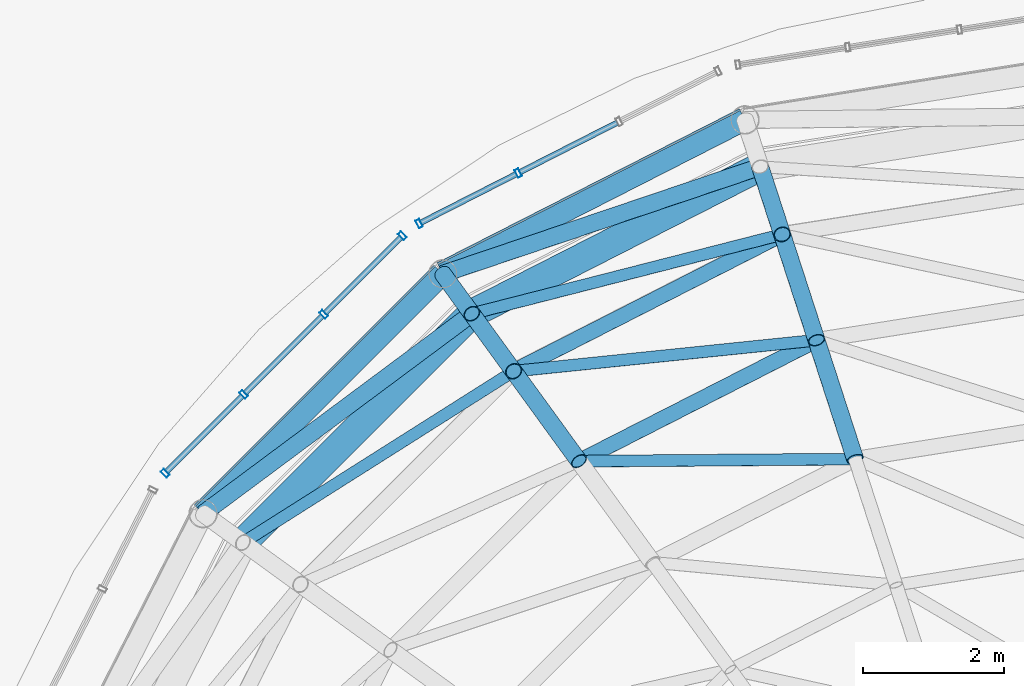
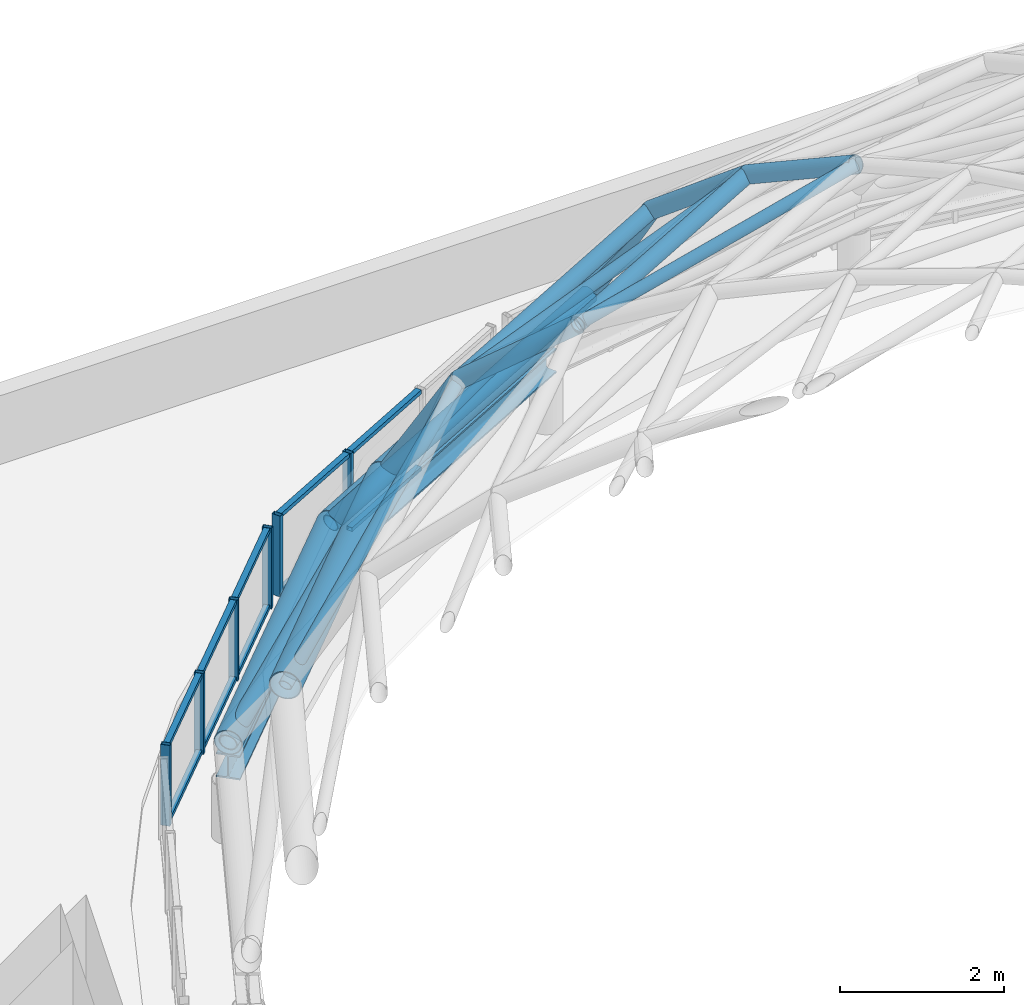
# One storey, part 35 of 69: 34 members, 2 beams, 2 elements without a shape of their own.
"""IFC4 building model written with IfcOpenShell, lengths in metres."""

from ifc_helpers import new_model, si_unit, direction, frame, origin, origin_2d, place, context, subcontext, project, spatial, hollow_rectangle, hollow_circle, i_section, extrude, material, layer, layer_set, material_profile, profile_set, type_object, element, aggregate, save


model = new_model("IFC4")

# Units and contexts
model_context = context("Model", 3, precision=1e-05, world=origin(), true_north=direction((0.0, 1.0)))
body_context = subcontext(model_context, "Body", "Model", "MODEL_VIEW")
ifc_project = project(units=[si_unit("LENGTHUNIT", "METRE"), si_unit("AREAUNIT", "SQUARE_METRE"), si_unit("VOLUMEUNIT", "CUBIC_METRE"), si_unit("PLANEANGLEUNIT", "RADIAN"), si_unit("MASSUNIT", "GRAM", prefix="KILO")], contexts=[model_context])

# Site, building, storey
site_placement = place(None, origin())
site = spatial("IfcSite", under=ifc_project, at=site_placement, CompositionType="ELEMENT")
building_placement = place(site_placement, origin())
building = spatial("IfcBuilding", under=site, at=building_placement, Name="Kallimachos Central Library", CompositionType="ELEMENT")
storey_placement = place(building_placement, frame((0.0, 0.0, 23.39990234375)))
storey = spatial("IfcBuildingStorey", under=building, at=storey_placement, Name="L05", CompositionType="ELEMENT", Elevation=23.39990234375)

# Members
ifc_material_1 = material(Name="Steel S355J2H", Category="steel")
ifc_material_profile_1 = material_profile(ifc_material_1, hollow_circle(Radius=0.084228515625, WallThickness=0.008056640625, at=origin_2d()), Name="CHS 168.3x8")
ifc_profile_set_1 = profile_set([ifc_material_profile_1], Name="Steel S355J2H")
member_type_1 = type_object("IfcMemberType", Name="CHS 168.3x8 dome diagonal", PredefinedType="BRACE", material=ifc_profile_set_1)
member_1_placement = place(storey_placement, frame((84.80712890625, 114.226806640625, 6.24853515625), z_axis=(-0.970172108515, -0.007483288222, -0.242301630735), x_axis=(0.007713132086, -0.999970253354, 0.0)))
element("IfcMember", 1, at=member_1_placement, inside=storey, type_object=member_type_1, Name="Dome diagonal DD-4-06", PredefinedType="BRACE", context=body_context, shape_type="SweptSolid", body=[
    extrude(hollow_circle(Radius=0.084228515625, WallThickness=0.008056640625, at=origin_2d()), origin(), (0.0, 0.0, 1.0), 4.04541015625),
])
member_2_placement = place(storey_placement, frame((84.258056640625, 115.91650390625, 5.268310546875), z_axis=(-0.954541770957, -0.097939201614, -0.281527832169), x_axis=(0.102067520228, -0.994777473265, 0.0)))
element("IfcMember", 2, at=member_2_placement, inside=storey, type_object=member_type_1, Name="Dome diagonal DD-5-06", PredefinedType="BRACE", context=body_context, shape_type="SweptSolid", body=[
    extrude(hollow_circle(Radius=0.084228515625, WallThickness=0.008056640625, at=origin_2d()), origin(), (0.0, 0.0, 1.0), 4.509521484375),
])
for number, where, z_axis, x_axis, name in (
    (3, (83.769775390625, 117.419189453125, 3.998779296875), (-0.906269839108, -0.231534284072, -0.353647923819), (0.247530017622, -0.96888022499, 0.0), "Dome diagonal DD-6-06"),
    (4, (79.95361328125, 115.474853515625, 3.998779296875), (-0.790374252327, -0.500242584103, -0.353646572595), (0.534801956115, -0.844977436229, 0.0), "Dome diagonal DD-6-07"),
):
    element("IfcMember", number, at=place(storey_placement, frame(where, z_axis=z_axis, x_axis=x_axis)), inside=storey, type_object=member_type_1, Name=name, PredefinedType="BRACE", context=body_context, shape_type="SweptSolid", body=[
        extrude(hollow_circle(Radius=0.084228515625, WallThickness=0.008056640625, at=origin_2d()), origin(), (0.0, 0.0, 1.0), 4.8662109375),
    ])
ifc_material_2 = material(Name="Steel S355J2H", Category="steel")
ifc_material_profile_2 = material_profile(ifc_material_2, hollow_circle(Radius=0.109619140625, WallThickness=0.012451171875, at=origin_2d()), Name="CHS 219.1x12.5")
ifc_profile_set_2 = profile_set([ifc_material_profile_2], Name="Steel S355J2H")
member_type_2 = type_object("IfcMemberType", Name="CHS 219.1x12.5 dome ring", PredefinedType="PURLIN", material=ifc_profile_set_2)
member_3_placement = place(storey_placement, frame((84.258056640625, 115.91650390625, 5.268310546875), z_axis=(-0.891011956133, -0.45397983879, 0.0), x_axis=(0.45397983879, -0.891011956133, 0.0)))
element("IfcMember", 5, at=member_3_placement, inside=storey, type_object=member_type_2, Name="Dome ring DN-5-06", PredefinedType="PURLIN", context=body_context, shape_type="SweptSolid", body=[
    extrude(hollow_circle(Radius=0.109619140625, WallThickness=0.012451171875, at=origin_2d()), origin(), (0.0, 0.0, 1.0), 3.78857421875),
])
member_4_placement = place(storey_placement, frame((83.769775390625, 117.419189453125, 3.998779296875), z_axis=(-0.891015569784, -0.453972746322, 0.0), x_axis=(0.453972746322, -0.891015569784, 0.0)))
element("IfcMember", 6, at=member_4_placement, inside=storey, type_object=member_type_2, Name="Dome ring DN-6-06", PredefinedType="PURLIN", context=body_context, shape_type="SweptSolid", body=[
    extrude(hollow_circle(Radius=0.109619140625, WallThickness=0.012451171875, at=origin_2d()), origin(), (0.0, 0.0, 1.0), 4.282958984375),
])
ifc_material_3 = material(Name="Steel S355J2H", Category="steel")
ifc_material_profile_3 = material_profile(ifc_material_3, hollow_circle(Radius=0.122314453125, WallThickness=0.012451171875, at=origin_2d()), Name="CHS 244.5x12.5")
ifc_profile_set_3 = profile_set([ifc_material_profile_3], Name="Steel S355J2H")
member_type_3 = type_object("IfcMemberType", Name="CHS 244.5x12.5 dome diagonal", PredefinedType="BRACE", material=ifc_profile_set_3)
member_5_placement = place(storey_placement, frame((83.45751953125, 118.380615234375, 2.27783203125), z_axis=(-0.931010843657, -0.314167645959, -0.185788856571), x_axis=(0.31973431927, -0.947507237482, 0.0)))
element("IfcMember", 7, at=member_5_placement, inside=storey, type_object=member_type_3, Name="Dome diagonal DD-7-06", PredefinedType="BRACE", context=body_context, shape_type="SweptSolid", body=[
    extrude(hollow_circle(Radius=0.122314453125, WallThickness=0.012451171875, at=origin_2d()), origin(), (0.0, 0.0, 1.0), 4.84375),
])
member_6_placement = place(storey_placement, frame((79.359619140625, 116.29248046875, 2.27783203125), z_axis=(-0.788362711939, -0.586483385768, -0.18579954963), x_axis=(0.596876395099, -0.80233320321, 0.0)))
element("IfcMember", 8, at=member_6_placement, inside=storey, type_object=member_type_3, Name="Dome diagonal DD-7-07", PredefinedType="BRACE", context=body_context, shape_type="SweptSolid", body=[
    extrude(hollow_circle(Radius=0.122314453125, WallThickness=0.012451171875, at=origin_2d()), origin(), (0.0, 0.0, 1.0), 4.843505859375),
])
ifc_material_4 = material(Name="Steel S355J2H", Category="steel")
ifc_material_profile_4 = material_profile(ifc_material_4, hollow_circle(Radius=0.122314453125, WallThickness=0.012451171875, at=origin_2d()), Name="CHS 244.5x12.5")
ifc_profile_set_4 = profile_set([ifc_material_profile_4], Name="Steel S355J2H")
member_type_4 = type_object("IfcMemberType", Name="CHS 244.5x12.5 dome rib", PredefinedType="RAFTER", material=ifc_profile_set_4)
member_7_placement = place(storey_placement, frame((84.80712890625, 114.226806640625, 6.24853515625), z_axis=(-0.270593967186, 0.83271713957, -0.483074601267), x_axis=(-0.951047195677, -0.309045678815, 0.0)))
element("IfcMember", 9, at=member_7_placement, inside=storey, type_object=member_type_4, Name="Dome rib DR-4-06", PredefinedType="RAFTER", context=body_context, shape_type="SweptSolid", body=[
    extrude(hollow_circle(Radius=0.122314453125, WallThickness=0.012451171875, at=origin_2d()), origin(), (0.0, 0.0, 1.0), 2.029052734375),
])
for number, where, z_axis, x_axis, name in (
    (10, (84.258056640625, 115.91650390625, 5.268310546875), (-0.240904371031, 0.741383201847, -0.62635136468), (-0.951051099951, -0.309033663672, 0.0), "Dome rib DR-5-06"),
    (11, (80.88232421875, 114.196533203125, 5.268310546875), (-0.458193176773, 0.630678095054, -0.626341882024), (-0.809029975545, -0.58776738483, 0.0), "Dome rib DR-5-07"),
):
    element("IfcMember", number, at=place(storey_placement, frame(where, z_axis=z_axis, x_axis=x_axis)), inside=storey, type_object=member_type_4, Name=name, PredefinedType="RAFTER", context=body_context, shape_type="SweptSolid", body=[
        extrude(hollow_circle(Radius=0.122314453125, WallThickness=0.012451171875, at=origin_2d()), origin(), (0.0, 0.0, 1.0), 2.02685546875),
    ])
for number, where, z_axis, x_axis, name in (
    (12, (83.769775390625, 117.419189453125, 3.998779296875), (-0.156450889293, 0.481707272897, -0.862253572029), (-0.951094395752, -0.308900389072, 0.0), "Dome rib DR-6-06"),
    (13, (79.95361328125, 115.474853515625, 3.998779296875), (-0.297630119581, 0.409684862505, -0.862307732398), (-0.809038926726, -0.587755063817, 0.0), "Dome rib DR-6-07"),
):
    element("IfcMember", number, at=place(storey_placement, frame(where, z_axis=z_axis, x_axis=x_axis)), inside=storey, type_object=member_type_4, Name=name, PredefinedType="RAFTER", context=body_context, shape_type="SweptSolid", body=[
        extrude(hollow_circle(Radius=0.122314453125, WallThickness=0.012451171875, at=origin_2d()), origin(), (0.0, 0.0, 1.0), 1.995849609375),
    ])
member_8_placement = place(storey_placement, frame((79.359619140625, 116.29248046875, 2.27783203125), z_axis=(-0.361005557434, 0.49675735068, -0.789244652847), x_axis=(-0.80894712746, -0.587881403835, 0.0)))
element("IfcMember", 14, at=member_8_placement, inside=storey, type_object=member_type_4, Name="Dome rib DR-7-07", PredefinedType="RAFTER", context=body_context, shape_type="SweptSolid", body=[
    extrude(hollow_circle(Radius=0.122314453125, WallThickness=0.012451171875, at=origin_2d()), origin(), (0.0, 0.0, 1.0), 1.14013671875),
])
ifc_material_5 = material(Name="Steel S355J2H", Category="steel")
ifc_material_profile_5 = material_profile(ifc_material_5, hollow_circle(Radius=0.177734375, WallThickness=0.008056640625, at=origin_2d()), Name="CHS 355.6x8")
ifc_profile_set_5 = profile_set([ifc_material_profile_5], Name="Steel S355J2H")
member_type_5 = type_object("IfcMemberType", Name="CHS 355.6x8 dome ring", PredefinedType="PURLIN", material=ifc_profile_set_5)
member_9_placement = place(storey_placement, frame((83.2412109375, 119.04638671875, 1.3779296875), z_axis=(-0.891006627269, -0.453990297432, 0.0), x_axis=(0.453990297432, -0.891006627269, 0.0)))
element("IfcMember", 15, at=member_9_placement, inside=storey, type_object=member_type_5, Name="Dome ring DN-8-06", PredefinedType="PURLIN", context=body_context, shape_type="SweptSolid", body=[
    extrude(hollow_circle(Radius=0.177734375, WallThickness=0.008056640625, at=origin_2d()), origin(), (0.0, 0.0, 1.0), 4.818359375),
])
member_10_placement = place(storey_placement, frame((78.947998046875, 116.85888671875, 1.3779296875), z_axis=(-0.707081444577, -0.707132116889, 0.0), x_axis=(0.707132116889, -0.707081444577, 0.0)))
element("IfcMember", 16, at=member_10_placement, inside=storey, type_object=member_type_5, Name="Dome ring DN-8-07", PredefinedType="PURLIN", context=body_context, shape_type="SweptSolid", body=[
    extrude(hollow_circle(Radius=0.177734375, WallThickness=0.008056640625, at=origin_2d()), origin(), (0.0, 0.0, 1.0), 4.818115234375),
])
ifc_material_6 = material(Name="Steel S355J2H", Category="steel")
ifc_material_profile_6 = material_profile(ifc_material_6, hollow_circle(Radius=0.203125, WallThickness=0.012451171875, at=origin_2d()), Name="CHS 406.4x12.5")
ifc_profile_set_6 = profile_set([ifc_material_profile_6], Name="Steel S355J2H")
member_type_6 = type_object("IfcMemberType", Name="CHS 406.4x12.5 dome ring", PredefinedType="PURLIN", material=ifc_profile_set_6)
member_11_placement = place(storey_placement, frame((83.45751953125, 118.380615234375, 2.27783203125), z_axis=(-0.890993311189, -0.454016430778, 0.0), x_axis=(0.454016430778, -0.890993311189, 0.0)))
element("IfcMember", 17, at=member_11_placement, inside=storey, type_object=member_type_6, Name="Dome ring DN-7-06", PredefinedType="PURLIN", context=body_context, shape_type="SweptSolid", body=[
    extrude(hollow_circle(Radius=0.203125, WallThickness=0.012451171875, at=origin_2d()), origin(), (0.0, 0.0, 1.0), 4.599365234375),
])
member_12_placement = place(storey_placement, frame((79.359619140625, 116.29248046875, 2.27783203125), z_axis=(-0.707133322739, -0.707080238637, 0.0), x_axis=(0.707080238637, -0.707133322739, 0.0)))
element("IfcMember", 18, at=member_12_placement, inside=storey, type_object=member_type_6, Name="Dome ring DN-7-07", PredefinedType="PURLIN", context=body_context, shape_type="SweptSolid", body=[
    extrude(hollow_circle(Radius=0.203125, WallThickness=0.012451171875, at=origin_2d()), origin(), (0.0, 0.0, 1.0), 4.59912109375),
])

# Curtain wall, members
ifc_material_7 = material(Name="Anodised aluminium and laminated glass", Category="aluminium")
ifc_layer = layer(ifc_material_7, 0.159912109375)
ifc_layer_set = layer_set([ifc_layer], Name="Glass box curtain wall")
curtain_wall_type = type_object("IfcCurtainWallType", Name="Glass box curtain wall", PredefinedType="NOTDEFINED", material=ifc_layer_set)
curtain_wall_1_placement = place(storey_placement, origin())
curtain_wall_1 = element("IfcCurtainWall", 19, at=curtain_wall_1_placement, inside=storey, type_object=curtain_wall_type, Name="Drum clerestory facet 7", PredefinedType="NOTDEFINED")
ifc_material_8 = material(Name="Anodised aluminium", Category="aluminium")
ifc_material_profile_7 = material_profile(ifc_material_8, hollow_rectangle(XDim=0.06005859375, YDim=0.1201171875, WallThickness=0.00390625, at=origin_2d()), Name="ALU MULLION 60x120")
ifc_profile_set_7 = profile_set([ifc_material_profile_7], Name="Anodised aluminium")
member_type_7 = type_object("IfcMemberType", Name="Glass box mullion 60x120", PredefinedType="MULLION", material=ifc_profile_set_7)
member_13_placement = place(storey_placement, frame((80.01904296875, 118.290771484375, 0.0), z_axis=(0.0, 0.0, 1.0), x_axis=(-0.891006369337, -0.453990803653, 0.0)))
member_13 = element("IfcMember", 20, at=member_13_placement, type_object=member_type_7, Name="CW41 mullion 3", PredefinedType="MULLION", context=body_context, shape_type="SweptSolid", body=[
    extrude(hollow_rectangle(XDim=0.06005859375, YDim=0.1201171875, WallThickness=0.00390625, at=origin_2d()), origin(), (0.0, 0.0, 1.0), 1.2001953125),
])
member_14_placement = place(storey_placement, frame((78.61181640625, 117.57373046875, 0.0), z_axis=(0.0, 0.0, 1.0), x_axis=(-0.891006369337, -0.453990803653, 0.0)))
member_14 = element("IfcMember", 21, at=member_14_placement, type_object=member_type_7, Name="CW41 mullion 4", PredefinedType="MULLION", context=body_context, shape_type="SweptSolid", body=[
    extrude(hollow_rectangle(XDim=0.06005859375, YDim=0.1201171875, WallThickness=0.00390625, at=origin_2d()), origin(), (0.0, 0.0, 1.0), 1.2001953125),
])

curtain_wall_2_placement = place(storey_placement, origin())
curtain_wall_2 = element("IfcCurtainWall", 22, at=curtain_wall_2_placement, inside=storey, type_object=curtain_wall_type, Name="Drum clerestory facet 8", PredefinedType="NOTDEFINED")
member_15_placement = place(storey_placement, frame((78.3720703125, 117.399658203125, 0.0), z_axis=(0.0, 0.0, 1.0), x_axis=(-0.707106781187, -0.707106781187, 0.0)))
member_15 = element("IfcMember", 23, at=member_15_placement, type_object=member_type_7, Name="CW42 mullion 1", PredefinedType="MULLION", context=body_context, shape_type="SweptSolid", body=[
    extrude(hollow_rectangle(XDim=0.06005859375, YDim=0.1201171875, WallThickness=0.00390625, at=origin_2d()), origin(), (0.0, 0.0, 1.0), 1.2001953125),
])
member_16_placement = place(storey_placement, frame((77.25537109375, 116.28271484375, 0.0), z_axis=(0.0, 0.0, 1.0), x_axis=(-0.707106781187, -0.707106781187, 0.0)))
member_16 = element("IfcMember", 24, at=member_16_placement, type_object=member_type_7, Name="CW42 mullion 2", PredefinedType="MULLION", context=body_context, shape_type="SweptSolid", body=[
    extrude(hollow_rectangle(XDim=0.06005859375, YDim=0.1201171875, WallThickness=0.00390625, at=origin_2d()), origin(), (0.0, 0.0, 1.0), 1.2001953125),
])
member_17_placement = place(storey_placement, frame((76.1171875, 115.144775390625, 0.0), z_axis=(0.0, 0.0, 1.0), x_axis=(-0.707106781187, -0.707106781187, 0.0)))
member_17 = element("IfcMember", 25, at=member_17_placement, type_object=member_type_7, Name="CW42 mullion 3", PredefinedType="MULLION", context=body_context, shape_type="SweptSolid", body=[
    extrude(hollow_rectangle(XDim=0.06005859375, YDim=0.1201171875, WallThickness=0.00390625, at=origin_2d()), origin(), (0.0, 0.0, 1.0), 1.2001953125),
])
member_18_placement = place(storey_placement, frame((75.00048828125, 114.02783203125, 0.0), z_axis=(0.0, 0.0, 1.0), x_axis=(-0.707106781187, -0.707106781187, 0.0)))
member_18 = element("IfcMember", 26, at=member_18_placement, type_object=member_type_7, Name="CW42 mullion 4", PredefinedType="MULLION", context=body_context, shape_type="SweptSolid", body=[
    extrude(hollow_rectangle(XDim=0.06005859375, YDim=0.1201171875, WallThickness=0.00390625, at=origin_2d()), origin(), (0.0, 0.0, 1.0), 1.2001953125),
])

# Member
ifc_material_9 = material(Name="Anodised aluminium", Category="aluminium")
ifc_material_profile_8 = material_profile(ifc_material_9, hollow_rectangle(XDim=0.06005859375, YDim=0.080078125, WallThickness=0.00390625, at=origin_2d()), Name="ALU TRANSOM 60x80")
ifc_profile_set_8 = profile_set([ifc_material_profile_8], Name="Anodised aluminium")
member_type_8 = type_object("IfcMemberType", Name="Glass box transom 60x80", PredefinedType="USERDEFINED", material=ifc_profile_set_8)
member_19_placement = place(storey_placement, frame((81.426513671875, 119.0078125, 0.030029296875), z_axis=(-0.891029877091, -0.453944664173, 0.0), x_axis=(0.0, 0.0, 1.0)))
member_19 = element("IfcMember", 27, at=member_19_placement, type_object=member_type_8, Name="CW41 transom 2.1", ObjectType="TRANSOM", PredefinedType="USERDEFINED", context=body_context, shape_type="SweptSolid", body=[
    extrude(hollow_rectangle(XDim=0.06005859375, YDim=0.080078125, WallThickness=0.00390625, at=origin_2d()), origin(), (0.0, 0.0, 1.0), 1.549560546875),
])

member_20_placement = place(storey_placement, frame((81.426513671875, 119.0078125, 1.170166015625), z_axis=(-0.891029877091, -0.453944664173, 0.0), x_axis=(0.0, 0.0, 1.0)))
member_20 = element("IfcMember", 28, at=member_20_placement, type_object=member_type_8, Name="CW41 transom 2.2", ObjectType="TRANSOM", PredefinedType="USERDEFINED", context=body_context, shape_type="SweptSolid", body=[
    extrude(hollow_rectangle(XDim=0.06005859375, YDim=0.080078125, WallThickness=0.00390625, at=origin_2d()), origin(), (0.0, 0.0, 1.0), 1.549560546875),
])

member_21_placement = place(storey_placement, frame((79.992431640625, 118.277099609375, 0.030029296875), z_axis=(-0.891027233573, -0.453949852992, 0.0), x_axis=(0.0, 0.0, 1.0)))
member_21 = element("IfcMember", 29, at=member_21_placement, type_object=member_type_8, Name="CW41 transom 3.1", ObjectType="TRANSOM", PredefinedType="USERDEFINED", context=body_context, shape_type="SweptSolid", body=[
    extrude(hollow_rectangle(XDim=0.06005859375, YDim=0.080078125, WallThickness=0.00390625, at=origin_2d()), origin(), (0.0, 0.0, 1.0), 1.519287109375),
])

member_22_placement = place(storey_placement, frame((79.992431640625, 118.277099609375, 1.170166015625), z_axis=(-0.891027233573, -0.453949852992, 0.0), x_axis=(0.0, 0.0, 1.0)))
member_22 = element("IfcMember", 30, at=member_22_placement, type_object=member_type_8, Name="CW41 transom 3.2", ObjectType="TRANSOM", PredefinedType="USERDEFINED", context=body_context, shape_type="SweptSolid", body=[
    extrude(hollow_rectangle(XDim=0.06005859375, YDim=0.080078125, WallThickness=0.00390625, at=origin_2d()), origin(), (0.0, 0.0, 1.0), 1.519287109375),
])

aggregate(curtain_wall_1, [member_13, member_14, member_19, member_20, member_21, member_22])

member_23_placement = place(storey_placement, frame((78.350830078125, 117.37841796875, 0.030029296875), z_axis=(-0.707026432709, -0.707187120535, 0.0), x_axis=(0.0, 0.0, 1.0)))
member_23 = element("IfcMember", 31, at=member_23_placement, type_object=member_type_8, Name="CW42 transom 1.1", ObjectType="TRANSOM", PredefinedType="USERDEFINED", context=body_context, shape_type="SweptSolid", body=[
    extrude(hollow_rectangle(XDim=0.06005859375, YDim=0.080078125, WallThickness=0.00390625, at=origin_2d()), origin(), (0.0, 0.0, 1.0), 1.519287109375),
])

member_24_placement = place(storey_placement, frame((78.350830078125, 117.37841796875, 1.170166015625), z_axis=(-0.707026432709, -0.707187120535, 0.0), x_axis=(0.0, 0.0, 1.0)))
member_24 = element("IfcMember", 32, at=member_24_placement, type_object=member_type_8, Name="CW42 transom 1.2", ObjectType="TRANSOM", PredefinedType="USERDEFINED", context=body_context, shape_type="SweptSolid", body=[
    extrude(hollow_rectangle(XDim=0.06005859375, YDim=0.080078125, WallThickness=0.00390625, at=origin_2d()), origin(), (0.0, 0.0, 1.0), 1.519287109375),
])

member_25_placement = place(storey_placement, frame((77.234130859375, 116.261474609375, 0.030029296875), z_axis=(-0.707185563068, -0.707027990527, 0.0), x_axis=(0.0, 0.0, 1.0)))
member_25 = element("IfcMember", 33, at=member_25_placement, type_object=member_type_8, Name="CW42 transom 2.1", ObjectType="TRANSOM", PredefinedType="USERDEFINED", context=body_context, shape_type="SweptSolid", body=[
    extrude(hollow_rectangle(XDim=0.06005859375, YDim=0.080078125, WallThickness=0.00390625, at=origin_2d()), origin(), (0.0, 0.0, 1.0), 1.54931640625),
])

member_26_placement = place(storey_placement, frame((77.234130859375, 116.261474609375, 1.170166015625), z_axis=(-0.707185563068, -0.707027990527, 0.0), x_axis=(0.0, 0.0, 1.0)))
member_26 = element("IfcMember", 34, at=member_26_placement, type_object=member_type_8, Name="CW42 transom 2.2", ObjectType="TRANSOM", PredefinedType="USERDEFINED", context=body_context, shape_type="SweptSolid", body=[
    extrude(hollow_rectangle(XDim=0.06005859375, YDim=0.080078125, WallThickness=0.00390625, at=origin_2d()), origin(), (0.0, 0.0, 1.0), 1.54931640625),
])

member_27_placement = place(storey_placement, frame((76.095947265625, 115.12353515625, 0.030029296875), z_axis=(-0.707026432709, -0.707187120535, 0.0), x_axis=(0.0, 0.0, 1.0)))
member_27 = element("IfcMember", 35, at=member_27_placement, type_object=member_type_8, Name="CW42 transom 3.1", ObjectType="TRANSOM", PredefinedType="USERDEFINED", context=body_context, shape_type="SweptSolid", body=[
    extrude(hollow_rectangle(XDim=0.06005859375, YDim=0.080078125, WallThickness=0.00390625, at=origin_2d()), origin(), (0.0, 0.0, 1.0), 1.519287109375),
])

member_28_placement = place(storey_placement, frame((76.095947265625, 115.12353515625, 1.170166015625), z_axis=(-0.707026432709, -0.707187120535, 0.0), x_axis=(0.0, 0.0, 1.0)))
member_28 = element("IfcMember", 36, at=member_28_placement, type_object=member_type_8, Name="CW42 transom 3.2", ObjectType="TRANSOM", PredefinedType="USERDEFINED", context=body_context, shape_type="SweptSolid", body=[
    extrude(hollow_rectangle(XDim=0.06005859375, YDim=0.080078125, WallThickness=0.00390625, at=origin_2d()), origin(), (0.0, 0.0, 1.0), 1.519287109375),
])

aggregate(curtain_wall_2, [member_15, member_16, member_17, member_18, member_23, member_24, member_25, member_26, member_27, member_28])

# Beams
ifc_material_10 = material(Name="Steel S355J2", Category="steel")
ifc_material_profile_9 = material_profile(ifc_material_10, i_section(OverallWidth=0.300048828125, OverallDepth=0.360107421875, WebThickness=0.012451171875, FlangeThickness=0.0224609375, FilletRadius=0.027099609375, at=origin_2d()), Name="HEB 360")
ifc_profile_set_9 = profile_set([ifc_material_profile_9], Name="Steel S355J2")
beam_type = type_object("IfcBeamType", Name="HEB 360 beam", PredefinedType="BEAM", material=ifc_profile_set_9)
beam_1_placement = place(storey_placement, frame((83.2412109375, 119.04638671875, 1.02001953125), z_axis=(-0.891006627269, -0.453990297432, 0.0), x_axis=(0.453990297432, -0.891006627269, 0.0)))
element("IfcBeam", 37, at=beam_1_placement, inside=storey, type_object=beam_type, Name="V1-BEM-L05-007", PredefinedType="BEAM", context=body_context, shape_type="SweptSolid", body=[
    extrude(i_section(OverallWidth=0.300048828125, OverallDepth=0.360107421875, WebThickness=0.012451171875, FlangeThickness=0.0224609375, FilletRadius=0.027099609375, at=origin_2d()), origin(), (0.0, 0.0, 1.0), 4.818359375),
])
beam_2_placement = place(storey_placement, frame((78.947998046875, 116.85888671875, 1.02001953125), z_axis=(-0.707106781187, -0.707106781187, 0.0), x_axis=(0.707106781187, -0.707106781187, 0.0)))
element("IfcBeam", 38, at=beam_2_placement, inside=storey, type_object=beam_type, Name="V1-BEM-L05-008", PredefinedType="BEAM", context=body_context, shape_type="SweptSolid", body=[
    extrude(i_section(OverallWidth=0.300048828125, OverallDepth=0.360107421875, WebThickness=0.012451171875, FlangeThickness=0.0224609375, FilletRadius=0.027099609375, at=origin_2d()), origin(), (0.0, 0.0, 1.0), 4.818115234375),
])

save(model, "model.ifc")
